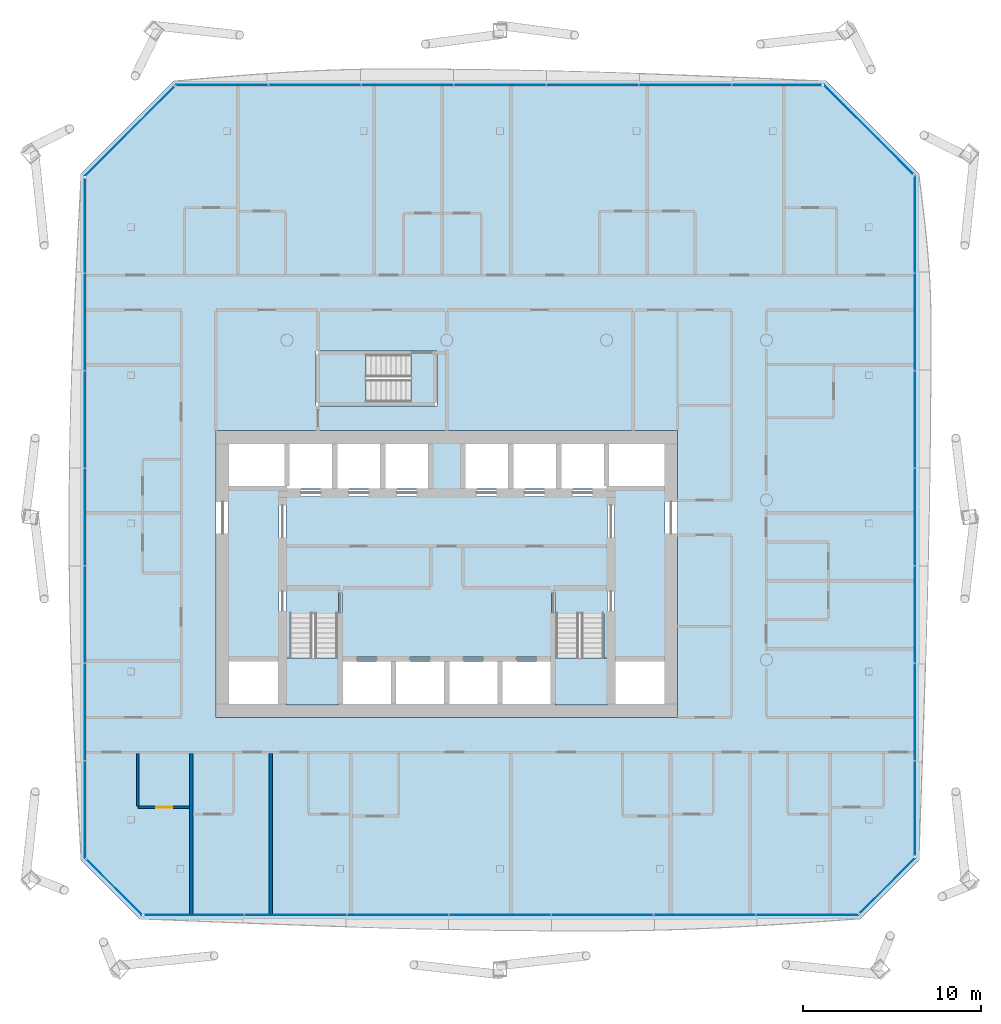
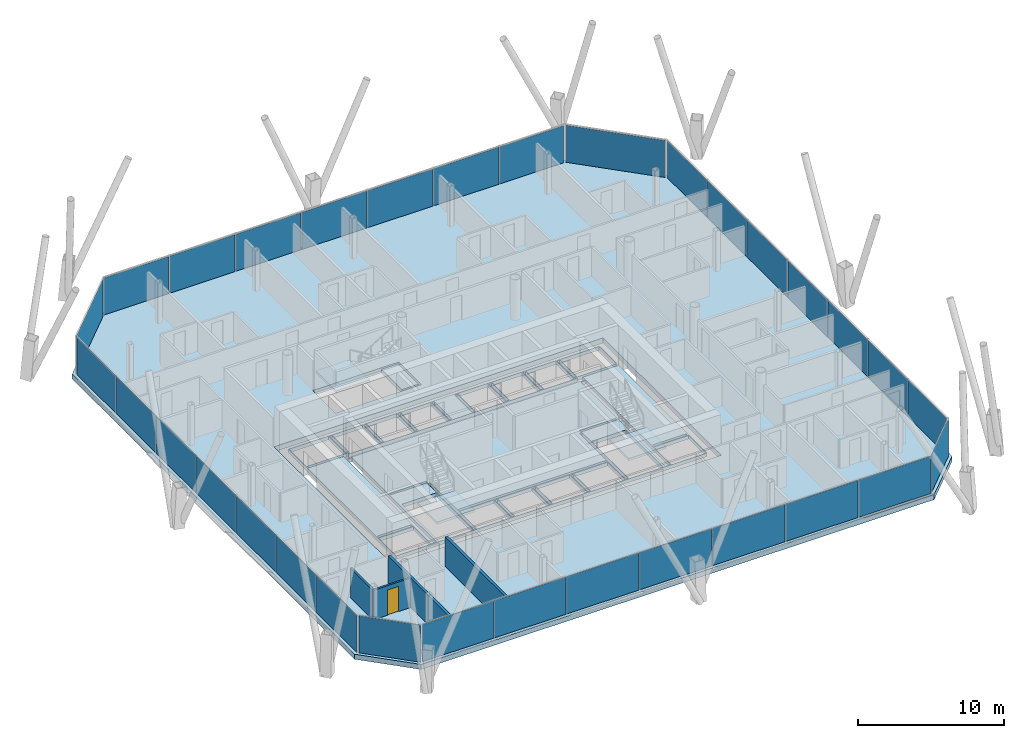
# One storey, part 12 of 22: 32 plates, 6 slabs, 4 walls, 1 door, 1 opening, 11 elements without a shape of their own.
"""IFC4 building model written with IfcOpenShell, lengths in metres."""

from ifc_helpers import new_model, si_unit, direction, frame, frame_2d, origin, origin_2d, place, context, subcontext, project, spatial, polyline, rectangle, outline, extrude, material, layer, layer_set, type_object, element, fill, aggregate, save


model = new_model("IFC4")

# Units and contexts
model_context = context("Model", 3, precision=1e-05, world=origin(), true_north=direction((0.0, 1.0)))
body_context = subcontext(model_context, "Body", "Model", "MODEL_VIEW")
ifc_project = project(units=[si_unit("LENGTHUNIT", "METRE"), si_unit("AREAUNIT", "SQUARE_METRE"), si_unit("VOLUMEUNIT", "CUBIC_METRE"), si_unit("PLANEANGLEUNIT", "RADIAN"), si_unit("MASSUNIT", "GRAM", prefix="KILO")], contexts=[model_context])

# Site, building, storey
site_placement = place(None, origin())
site = spatial("IfcSite", under=ifc_project, at=site_placement, CompositionType="ELEMENT")
building_placement = place(site_placement, origin())
building = spatial("IfcBuilding", under=site, at=building_placement, Name="Tskaro Facet Tower", CompositionType="ELEMENT")
storey_placement = place(building_placement, frame((0.0, 0.0, 121.5)))
storey = spatial("IfcBuildingStorey", under=building, at=storey_placement, Name="L28", CompositionType="ELEMENT", Elevation=121.5)

# Curtain wall, plates
ifc_material_1 = material(Name="Bronze anodised aluminium 6063-T6", Category="aluminium")
curtain_wall_type = type_object("IfcCurtainWallType", Name="Bronze hotel curtain wall (FW2)", PredefinedType="NOTDEFINED", material=ifc_material_1)
curtain_wall_1_placement = place(storey_placement, origin())
curtain_wall_1 = element("IfcCurtainWall", 1, at=curtain_wall_1_placement, inside=storey, type_object=curtain_wall_type, Name="FW2 south facet L28", PredefinedType="NOTDEFINED")
ifc_material_2 = material(Name="Bronze solar control glass", Category="glass")
ifc_layer_1 = layer(ifc_material_2, 0.030029296875, Name="Bronze solar control glass")
ifc_layer_set_1 = layer_set([ifc_layer_1], Name="Bronze solar control glass")
plate_type = type_object("IfcPlateType", Name="FW2 bronze-tinted unit glazing 30", PredefinedType="CURTAIN_PANEL", material=ifc_layer_set_1)
plate_1_placement = place(storey_placement, frame((-14.22509765625, -23.366943359375, 0.0), z_axis=(0.0, 0.0, 1.0), x_axis=(1.0, 0.0, 0.0)))
plate_1 = element("IfcPlate", 2, at=plate_1_placement, type_object=plate_type, Name="FW2 south glazing 1.1", PredefinedType="CURTAIN_PANEL", context=body_context, shape_type="SweptSolid", body=[
    extrude(rectangle(XDim=5.581787109375, YDim=0.030029296875, at=origin_2d()), origin(), (0.0, 0.0, 1.0), 3.10009765625),
])
plate_2_placement = place(storey_placement, frame((-8.5234375, -23.366943359375, 0.0), z_axis=(0.0, 0.0, 1.0), x_axis=(1.0, 0.0, 0.0)))
plate_2 = element("IfcPlate", 3, at=plate_2_placement, type_object=plate_type, Name="FW2 south glazing 2.1", PredefinedType="CURTAIN_PANEL", context=body_context, shape_type="SweptSolid", body=[
    extrude(rectangle(XDim=5.70166015625, YDim=0.030029296875, at=origin_2d()), origin(), (0.0, 0.0, 1.0), 3.10009765625),
])
plate_3_placement = place(storey_placement, frame((-2.76171875, -23.366943359375, 0.0), z_axis=(0.0, 0.0, 1.0), x_axis=(1.0, 0.0, 0.0)))
plate_3 = element("IfcPlate", 4, at=plate_3_placement, type_object=plate_type, Name="FW2 south glazing 3.1", PredefinedType="CURTAIN_PANEL", context=body_context, shape_type="SweptSolid", body=[
    extrude(rectangle(XDim=5.70166015625, YDim=0.030029296875, at=origin_2d()), origin(), (0.0, 0.0, 1.0), 3.10009765625),
])
plate_4_placement = place(storey_placement, frame((3.0, -23.366943359375, 0.0), z_axis=(0.0, 0.0, 1.0), x_axis=(1.0, 0.0, 0.0)))
plate_4 = element("IfcPlate", 5, at=plate_4_placement, type_object=plate_type, Name="FW2 south glazing 4.1", PredefinedType="CURTAIN_PANEL", context=body_context, shape_type="SweptSolid", body=[
    extrude(rectangle(XDim=5.70166015625, YDim=0.030029296875, at=origin_2d()), origin(), (0.0, 0.0, 1.0), 3.10009765625),
])
plate_5_placement = place(storey_placement, frame((8.76171875, -23.366943359375, 0.0), z_axis=(0.0, 0.0, 1.0), x_axis=(1.0, 0.0, 0.0)))
plate_5 = element("IfcPlate", 6, at=plate_5_placement, type_object=plate_type, Name="FW2 south glazing 5.1", PredefinedType="CURTAIN_PANEL", context=body_context, shape_type="SweptSolid", body=[
    extrude(rectangle(XDim=5.70166015625, YDim=0.030029296875, at=origin_2d()), origin(), (0.0, 0.0, 1.0), 3.10009765625),
])
plate_6_placement = place(storey_placement, frame((14.5234375, -23.366943359375, 0.0), z_axis=(0.0, 0.0, 1.0), x_axis=(1.0, 0.0, 0.0)))
plate_6 = element("IfcPlate", 7, at=plate_6_placement, type_object=plate_type, Name="FW2 south glazing 6.1", PredefinedType="CURTAIN_PANEL", context=body_context, shape_type="SweptSolid", body=[
    extrude(rectangle(XDim=5.70166015625, YDim=0.030029296875, at=origin_2d()), origin(), (0.0, 0.0, 1.0), 3.10009765625),
])
plate_7_placement = place(storey_placement, frame((20.300048828125, -23.366943359375, 0.0), z_axis=(0.0, 0.0, 1.0), x_axis=(1.0, 0.0, 0.0)))
plate_7 = element("IfcPlate", 8, at=plate_7_placement, type_object=plate_type, Name="FW2 south glazing 7.1", PredefinedType="CURTAIN_PANEL", context=body_context, shape_type="SweptSolid", body=[
    extrude(rectangle(XDim=5.731689453125, YDim=0.030029296875, at=origin_2d()), origin(), (0.0, 0.0, 1.0), 3.10009765625),
])
aggregate(curtain_wall_1, [plate_1, plate_2, plate_3, plate_4, plate_5, plate_6, plate_7])

# Curtain wall, plate
curtain_wall_2_placement = place(storey_placement, origin())
curtain_wall_2 = element("IfcCurtainWall", 9, at=curtain_wall_2_placement, inside=storey, type_object=curtain_wall_type, Name="FW2 south-east facet L28", PredefinedType="NOTDEFINED")
plate_8_placement = place(storey_placement, frame((24.819580078125, -21.71337890625, 0.0), z_axis=(0.0, 0.0, 1.0), x_axis=(0.707106781187, 0.707106781187, 0.0)))
plate_8 = element("IfcPlate", 10, at=plate_8_placement, type_object=plate_type, Name="FW2 south-east glazing 1.1", PredefinedType="CURTAIN_PANEL", context=body_context, shape_type="SweptSolid", body=[
    extrude(rectangle(XDim=4.376953125, YDim=0.030029296875, at=origin_2d()), origin(), (0.0, 0.0, 1.0), 3.10009765625),
])
aggregate(curtain_wall_2, [plate_8])

# Curtain wall, plates
curtain_wall_3_placement = place(storey_placement, origin())
curtain_wall_3 = element("IfcCurtainWall", 11, at=curtain_wall_3_placement, inside=storey, type_object=curtain_wall_type, Name="FW2 east facet L28", PredefinedType="NOTDEFINED")
plate_9_placement = place(storey_placement, frame((26.366943359375, -17.36181640625, 0.0), z_axis=(0.0, 0.0, 1.0), x_axis=(0.0, 1.0, 0.0)))
plate_9 = element("IfcPlate", 12, at=plate_9_placement, type_object=plate_type, Name="FW2 east glazing 1.1", PredefinedType="CURTAIN_PANEL", context=body_context, shape_type="SweptSolid", body=[
    extrude(rectangle(XDim=5.308349609375, YDim=0.030029296875, at=origin_2d()), origin(), (0.0, 0.0, 1.0), 3.10009765625),
])
plate_10_placement = place(storey_placement, frame((26.366943359375, -11.933349609375, 0.0), z_axis=(0.0, 0.0, 1.0), x_axis=(0.0, 1.0, 0.0)))
plate_10 = element("IfcPlate", 13, at=plate_10_placement, type_object=plate_type, Name="FW2 east glazing 2.1", PredefinedType="CURTAIN_PANEL", context=body_context, shape_type="SweptSolid", body=[
    extrude(rectangle(XDim=5.428466796875, YDim=0.030029296875, at=origin_2d()), origin(), (0.0, 0.0, 1.0), 3.10009765625),
])
plate_11_placement = place(storey_placement, frame((26.366943359375, -6.44482421875, 0.0), z_axis=(0.0, 0.0, 1.0), x_axis=(0.0, 1.0, 0.0)))
plate_11 = element("IfcPlate", 14, at=plate_11_placement, type_object=plate_type, Name="FW2 east glazing 3.1", PredefinedType="CURTAIN_PANEL", context=body_context, shape_type="SweptSolid", body=[
    extrude(rectangle(XDim=5.428466796875, YDim=0.030029296875, at=origin_2d()), origin(), (0.0, 0.0, 1.0), 3.10009765625),
])
plate_12_placement = place(storey_placement, frame((26.366943359375, -0.95654296875, 0.0), z_axis=(0.0, 0.0, 1.0), x_axis=(0.0, 1.0, 0.0)))
plate_12 = element("IfcPlate", 15, at=plate_12_placement, type_object=plate_type, Name="FW2 east glazing 4.1", PredefinedType="CURTAIN_PANEL", context=body_context, shape_type="SweptSolid", body=[
    extrude(rectangle(XDim=5.428466796875, YDim=0.030029296875, at=origin_2d()), origin(), (0.0, 0.0, 1.0), 3.10009765625),
])
plate_13_placement = place(storey_placement, frame((26.366943359375, 4.531982421875, 0.0), z_axis=(0.0, 0.0, 1.0), x_axis=(0.0, 1.0, 0.0)))
plate_13 = element("IfcPlate", 16, at=plate_13_placement, type_object=plate_type, Name="FW2 east glazing 5.1", PredefinedType="CURTAIN_PANEL", context=body_context, shape_type="SweptSolid", body=[
    extrude(rectangle(XDim=5.428466796875, YDim=0.030029296875, at=origin_2d()), origin(), (0.0, 0.0, 1.0), 3.10009765625),
])
plate_14_placement = place(storey_placement, frame((26.366943359375, 10.020263671875, 0.0), z_axis=(0.0, 0.0, 1.0), x_axis=(0.0, 1.0, 0.0)))
plate_14 = element("IfcPlate", 17, at=plate_14_placement, type_object=plate_type, Name="FW2 east glazing 6.1", PredefinedType="CURTAIN_PANEL", context=body_context, shape_type="SweptSolid", body=[
    extrude(rectangle(XDim=5.428466796875, YDim=0.030029296875, at=origin_2d()), origin(), (0.0, 0.0, 1.0), 3.10009765625),
])
plate_15_placement = place(storey_placement, frame((26.366943359375, 15.523681640625, 0.0), z_axis=(0.0, 0.0, 1.0), x_axis=(0.0, 1.0, 0.0)))
plate_15 = element("IfcPlate", 18, at=plate_15_placement, type_object=plate_type, Name="FW2 east glazing 7.1", PredefinedType="CURTAIN_PANEL", context=body_context, shape_type="SweptSolid", body=[
    extrude(rectangle(XDim=5.45849609375, YDim=0.030029296875, at=origin_2d()), origin(), (0.0, 0.0, 1.0), 3.10009765625),
])
aggregate(curtain_wall_3, [plate_9, plate_10, plate_11, plate_12, plate_13, plate_14, plate_15])

# Curtain wall, plate
curtain_wall_4_placement = place(storey_placement, origin())
curtain_wall_4 = element("IfcCurtainWall", 19, at=curtain_wall_4_placement, inside=storey, type_object=curtain_wall_type, Name="FW2 north-east facet L28", PredefinedType="NOTDEFINED")
plate_16_placement = place(storey_placement, frame((23.757080078125, 20.863037109375, 0.0), z_axis=(0.0, 0.0, 1.0), x_axis=(-0.707106781187, 0.707106781187, 0.0)))
plate_16 = element("IfcPlate", 20, at=plate_16_placement, type_object=plate_type, Name="FW2 north-east glazing 1.1", PredefinedType="CURTAIN_PANEL", context=body_context, shape_type="SweptSolid", body=[
    extrude(rectangle(XDim=7.082275390625, YDim=0.030029296875, at=origin_2d()), origin(), (0.0, 0.0, 1.0), 3.10009765625),
])
aggregate(curtain_wall_4, [plate_16])

# Curtain wall, plates
curtain_wall_5_placement = place(storey_placement, origin())
curtain_wall_5 = element("IfcCurtainWall", 21, at=curtain_wall_5_placement, inside=storey, type_object=curtain_wall_type, Name="FW2 north facet L28", PredefinedType="NOTDEFINED")
plate_17_placement = place(storey_placement, frame((18.58544921875, 23.366943359375, 0.0), z_axis=(0.0, 0.0, 1.0), x_axis=(-1.0, 0.0, 0.0)))
plate_17 = element("IfcPlate", 22, at=plate_17_placement, type_object=plate_type, Name="FW2 north glazing 1.1", PredefinedType="CURTAIN_PANEL", context=body_context, shape_type="SweptSolid", body=[
    extrude(rectangle(XDim=5.03515625, YDim=0.030029296875, at=origin_2d()), origin(), (0.0, 0.0, 1.0), 3.10009765625),
])
plate_18_placement = place(storey_placement, frame((13.43017578125, 23.366943359375, 0.0), z_axis=(0.0, 0.0, 1.0), x_axis=(-1.0, 0.0, 0.0)))
plate_18 = element("IfcPlate", 23, at=plate_18_placement, type_object=plate_type, Name="FW2 north glazing 2.1", PredefinedType="CURTAIN_PANEL", context=body_context, shape_type="SweptSolid", body=[
    extrude(rectangle(XDim=5.155029296875, YDim=0.030029296875, at=origin_2d()), origin(), (0.0, 0.0, 1.0), 3.10009765625),
])
plate_19_placement = place(storey_placement, frame((8.215087890625, 23.366943359375, 0.0), z_axis=(0.0, 0.0, 1.0), x_axis=(-1.0, 0.0, 0.0)))
plate_19 = element("IfcPlate", 24, at=plate_19_placement, type_object=plate_type, Name="FW2 north glazing 3.1", PredefinedType="CURTAIN_PANEL", context=body_context, shape_type="SweptSolid", body=[
    extrude(rectangle(XDim=5.155029296875, YDim=0.030029296875, at=origin_2d()), origin(), (0.0, 0.0, 1.0), 3.10009765625),
])
plate_20_placement = place(storey_placement, frame((3.0, 23.366943359375, 0.0), z_axis=(0.0, 0.0, 1.0), x_axis=(-1.0, 0.0, 0.0)))
plate_20 = element("IfcPlate", 25, at=plate_20_placement, type_object=plate_type, Name="FW2 north glazing 4.1", PredefinedType="CURTAIN_PANEL", context=body_context, shape_type="SweptSolid", body=[
    extrude(rectangle(XDim=5.155029296875, YDim=0.030029296875, at=origin_2d()), origin(), (0.0, 0.0, 1.0), 3.10009765625),
])
plate_21_placement = place(storey_placement, frame((-2.215087890625, 23.366943359375, 0.0), z_axis=(0.0, 0.0, 1.0), x_axis=(-1.0, 0.0, 0.0)))
plate_21 = element("IfcPlate", 26, at=plate_21_placement, type_object=plate_type, Name="FW2 north glazing 5.1", PredefinedType="CURTAIN_PANEL", context=body_context, shape_type="SweptSolid", body=[
    extrude(rectangle(XDim=5.155029296875, YDim=0.030029296875, at=origin_2d()), origin(), (0.0, 0.0, 1.0), 3.10009765625),
])
plate_22_placement = place(storey_placement, frame((-7.43017578125, 23.366943359375, 0.0), z_axis=(0.0, 0.0, 1.0), x_axis=(-1.0, 0.0, 0.0)))
plate_22 = element("IfcPlate", 27, at=plate_22_placement, type_object=plate_type, Name="FW2 north glazing 6.1", PredefinedType="CURTAIN_PANEL", context=body_context, shape_type="SweptSolid", body=[
    extrude(rectangle(XDim=5.155029296875, YDim=0.030029296875, at=origin_2d()), origin(), (0.0, 0.0, 1.0), 3.10009765625),
])
plate_23_placement = place(storey_placement, frame((-12.660400390625, 23.366943359375, 0.0), z_axis=(0.0, 0.0, 1.0), x_axis=(-1.0, 0.0, 0.0)))
plate_23 = element("IfcPlate", 28, at=plate_23_placement, type_object=plate_type, Name="FW2 north glazing 7.1", PredefinedType="CURTAIN_PANEL", context=body_context, shape_type="SweptSolid", body=[
    extrude(rectangle(XDim=5.18505859375, YDim=0.030029296875, at=origin_2d()), origin(), (0.0, 0.0, 1.0), 3.10009765625),
])
aggregate(curtain_wall_5, [plate_17, plate_18, plate_19, plate_20, plate_21, plate_22, plate_23])

# Curtain wall, plate
curtain_wall_6_placement = place(storey_placement, origin())
curtain_wall_6 = element("IfcCurtainWall", 29, at=curtain_wall_6_placement, inside=storey, type_object=curtain_wall_type, Name="FW2 north-west facet L28", PredefinedType="NOTDEFINED")
plate_24_placement = place(storey_placement, frame((-17.863037109375, 20.757080078125, 0.0), z_axis=(0.0, 0.0, 1.0), x_axis=(-0.707106781187, -0.707106781187, 0.0)))
plate_24 = element("IfcPlate", 30, at=plate_24_placement, type_object=plate_type, Name="FW2 north-west glazing 1.1", PredefinedType="CURTAIN_PANEL", context=body_context, shape_type="SweptSolid", body=[
    extrude(rectangle(XDim=7.082275390625, YDim=0.030029296875, at=origin_2d()), origin(), (0.0, 0.0, 1.0), 3.10009765625),
])
aggregate(curtain_wall_6, [plate_24])

# Curtain wall, plates
curtain_wall_7_placement = place(storey_placement, origin())
curtain_wall_7 = element("IfcCurtainWall", 31, at=curtain_wall_7_placement, inside=storey, type_object=curtain_wall_type, Name="FW2 west facet L28", PredefinedType="NOTDEFINED")
plate_25_placement = place(storey_placement, frame((-20.366943359375, 15.44873046875, 0.0), z_axis=(0.0, 0.0, 1.0), x_axis=(0.0, -1.0, 0.0)))
plate_25 = element("IfcPlate", 32, at=plate_25_placement, type_object=plate_type, Name="FW2 west glazing 1.1", PredefinedType="CURTAIN_PANEL", context=body_context, shape_type="SweptSolid", body=[
    extrude(rectangle(XDim=5.308349609375, YDim=0.030029296875, at=origin_2d()), origin(), (0.0, 0.0, 1.0), 3.10009765625),
])
plate_26_placement = place(storey_placement, frame((-20.366943359375, 10.020263671875, 0.0), z_axis=(0.0, 0.0, 1.0), x_axis=(0.0, -1.0, 0.0)))
plate_26 = element("IfcPlate", 33, at=plate_26_placement, type_object=plate_type, Name="FW2 west glazing 2.1", PredefinedType="CURTAIN_PANEL", context=body_context, shape_type="SweptSolid", body=[
    extrude(rectangle(XDim=5.428466796875, YDim=0.030029296875, at=origin_2d()), origin(), (0.0, 0.0, 1.0), 3.10009765625),
])
plate_27_placement = place(storey_placement, frame((-20.366943359375, 4.531982421875, 0.0), z_axis=(0.0, 0.0, 1.0), x_axis=(0.0, -1.0, 0.0)))
plate_27 = element("IfcPlate", 34, at=plate_27_placement, type_object=plate_type, Name="FW2 west glazing 3.1", PredefinedType="CURTAIN_PANEL", context=body_context, shape_type="SweptSolid", body=[
    extrude(rectangle(XDim=5.428466796875, YDim=0.030029296875, at=origin_2d()), origin(), (0.0, 0.0, 1.0), 3.10009765625),
])
plate_28_placement = place(storey_placement, frame((-20.366943359375, -0.95654296875, 0.0), z_axis=(0.0, 0.0, 1.0), x_axis=(0.0, -1.0, 0.0)))
plate_28 = element("IfcPlate", 35, at=plate_28_placement, type_object=plate_type, Name="FW2 west glazing 4.1", PredefinedType="CURTAIN_PANEL", context=body_context, shape_type="SweptSolid", body=[
    extrude(rectangle(XDim=5.428466796875, YDim=0.030029296875, at=origin_2d()), origin(), (0.0, 0.0, 1.0), 3.10009765625),
])
plate_29_placement = place(storey_placement, frame((-20.366943359375, -6.44482421875, 0.0), z_axis=(0.0, 0.0, 1.0), x_axis=(0.0, -1.0, 0.0)))
plate_29 = element("IfcPlate", 36, at=plate_29_placement, type_object=plate_type, Name="FW2 west glazing 5.1", PredefinedType="CURTAIN_PANEL", context=body_context, shape_type="SweptSolid", body=[
    extrude(rectangle(XDim=5.428466796875, YDim=0.030029296875, at=origin_2d()), origin(), (0.0, 0.0, 1.0), 3.10009765625),
])
plate_30_placement = place(storey_placement, frame((-20.366943359375, -11.933349609375, 0.0), z_axis=(0.0, 0.0, 1.0), x_axis=(0.0, -1.0, 0.0)))
plate_30 = element("IfcPlate", 37, at=plate_30_placement, type_object=plate_type, Name="FW2 west glazing 6.1", PredefinedType="CURTAIN_PANEL", context=body_context, shape_type="SweptSolid", body=[
    extrude(rectangle(XDim=5.428466796875, YDim=0.030029296875, at=origin_2d()), origin(), (0.0, 0.0, 1.0), 3.10009765625),
])
plate_31_placement = place(storey_placement, frame((-20.366943359375, -17.436767578125, 0.0), z_axis=(0.0, 0.0, 1.0), x_axis=(0.0, -1.0, 0.0)))
plate_31 = element("IfcPlate", 38, at=plate_31_placement, type_object=plate_type, Name="FW2 west glazing 7.1", PredefinedType="CURTAIN_PANEL", context=body_context, shape_type="SweptSolid", body=[
    extrude(rectangle(XDim=5.45849609375, YDim=0.030029296875, at=origin_2d()), origin(), (0.0, 0.0, 1.0), 3.10009765625),
])
aggregate(curtain_wall_7, [plate_25, plate_26, plate_27, plate_28, plate_29, plate_30, plate_31])

# Curtain wall, plate
curtain_wall_8_placement = place(storey_placement, origin())
curtain_wall_8 = element("IfcCurtainWall", 39, at=curtain_wall_8_placement, inside=storey, type_object=curtain_wall_type, Name="FW2 south-west facet L28", PredefinedType="NOTDEFINED")
plate_32_placement = place(storey_placement, frame((-18.71337890625, -21.819580078125, 0.0), z_axis=(0.0, 0.0, 1.0), x_axis=(0.707106781187, -0.707106781187, 0.0)))
plate_32 = element("IfcPlate", 40, at=plate_32_placement, type_object=plate_type, Name="FW2 south-west glazing 1.1", PredefinedType="CURTAIN_PANEL", context=body_context, shape_type="SweptSolid", body=[
    extrude(rectangle(XDim=4.376953125, YDim=0.030029296875, at=origin_2d()), origin(), (0.0, 0.0, 1.0), 3.10009765625),
])
aggregate(curtain_wall_8, [plate_32])

# Stair, slab
ifc_material_3 = material(Name="Concrete C40/50", Category="concrete")
stair_type = type_object("IfcStairType", Name="ST-TWR", PredefinedType="HALF_TURN_STAIR", material=ifc_material_3)
stair_1_placement = place(storey_placement, origin())
stair_1 = element("IfcStair", 41, at=stair_1_placement, inside=storey, type_object=stair_type, Name="L28 Exit stair 1", PredefinedType="HALF_TURN_STAIR")
ifc_layer_2 = layer(ifc_material_3, 0.199951171875, Name="Concrete C40/50")
ifc_layer_set_2 = layer_set([ifc_layer_2], Name="Concrete C40/50")
slab_type_1 = type_object("IfcSlabType", Name="SL-LANDING", PredefinedType="LANDING", material=ifc_layer_set_2)
slab_1_placement = place(storey_placement, frame((0.0, 0.0, 1.5)))
slab_1 = element("IfcSlab", 42, at=slab_1_placement, type_object=slab_type_1, Name="ST-1 landing 1", PredefinedType="LANDING", context=body_context, shape_type="SweptSolid", body=[
    extrude(outline(polyline([(-9.050048828125, -11.550048828125), (-6.10009765625, -11.550048828125), (-6.10009765625, -8.89501953125), (-9.050048828125, -8.89501953125), (-9.050048828125, -11.550048828125)])), origin(), (0.0, 0.0, 1.0), 0.199951171875),
])
aggregate(stair_1, [slab_1])

stair_2_placement = place(storey_placement, origin())
stair_2 = element("IfcStair", 43, at=stair_2_placement, inside=storey, type_object=stair_type, Name="L28 Exit stair 2", PredefinedType="HALF_TURN_STAIR")
slab_2_placement = place(storey_placement, frame((0.0, 0.0, 1.5)))
slab_2 = element("IfcSlab", 44, at=slab_2_placement, type_object=slab_type_1, Name="ST-2 landing 1", PredefinedType="LANDING", context=body_context, shape_type="SweptSolid", body=[
    extrude(outline(polyline([(6.10009765625, -11.550048828125), (9.050048828125, -11.550048828125), (9.050048828125, -8.89501953125), (6.10009765625, -8.89501953125), (6.10009765625, -11.550048828125)])), origin(), (0.0, 0.0, 1.0), 0.199951171875),
])
aggregate(stair_2, [slab_2])

stair_3_placement = place(storey_placement, origin())
stair_3 = element("IfcStair", 45, at=stair_3_placement, inside=storey, type_object=stair_type, Name="L28 Exit stair 3", PredefinedType="HALF_TURN_STAIR")
slab_3_placement = place(storey_placement, frame((0.0, 0.0, 1.5)))
slab_3 = element("IfcSlab", 46, at=slab_3_placement, type_object=slab_type_1, Name="ST-3 landing 1", PredefinedType="LANDING", context=body_context, shape_type="SweptSolid", body=[
    extrude(outline(polyline([(-7.199951171875, 5.449951171875), (-4.544921875, 5.449951171875), (-4.544921875, 8.25), (-7.199951171875, 8.25), (-7.199951171875, 5.449951171875)])), origin(), (0.0, 0.0, 1.0), 0.199951171875),
])
aggregate(stair_3, [slab_3])

# Slabs
ifc_material_4 = material(Name="Concrete C60/75", Category="concrete")
ifc_layer_3 = layer(ifc_material_4, 0.300048828125, Name="Concrete C60/75")
ifc_layer_set_3 = layer_set([ifc_layer_3], Name="Concrete C60/75")
slab_type_2 = type_object("IfcSlabType", Name="SLAB-CORE", PredefinedType="FLOOR", material=ifc_layer_set_3)
slab_4_placement = place(storey_placement, frame((0.0, 0.0, -0.300048828125)))
element("IfcSlab", 47, at=slab_4_placement, inside=storey, type_object=slab_type_2, Name="Core floor slab 1", PredefinedType="FLOOR", context=body_context, shape_type="SweptSolid", body=[
    extrude(outline(polyline([(-12.300048828125, 3.199951171875), (12.300048828125, 3.199951171875), (12.300048828125, 3.10009765625), (12.300048828125, -11.449951171875), (12.300048828125, -11.550048828125), (-12.300048828125, -11.550048828125), (-12.300048828125, -11.449951171875), (-12.300048828125, 3.10009765625), (-12.300048828125, 3.199951171875)]), holes=[polyline([(-9.5, -9.10009765625), (-12.25, -9.10009765625), (-12.25, -11.5), (-9.5, -11.5), (-9.5, -9.10009765625)]), polyline([(-5.85009765625, -9.10009765625), (-5.85009765625, -11.5), (-3.14990234375, -11.5), (-3.14990234375, -9.10009765625), (-5.85009765625, -9.10009765625)]), polyline([(-12.199951171875, -9.050048828125), (-9.550048828125, -9.050048828125), (-9.550048828125, -8.85009765625), (-12.199951171875, -8.85009765625), (-12.199951171875, -9.050048828125)]), polyline([(-6.10009765625, -5.14990234375), (-6.10009765625, -11.449951171875), (-5.89990234375, -11.449951171875), (-5.89990234375, -5.14990234375), (-6.10009765625, -5.14990234375)]), polyline([(-9.449951171875, 0.10009765625), (-9.449951171875, -11.449951171875), (-9.050048828125, -11.449951171875), (-9.050048828125, 0.10009765625), (-9.449951171875, 0.10009765625)]), polyline([(-8.949951171875, -5.050048828125), (-6.050048828125, -5.050048828125), (-6.050048828125, -4.85009765625), (-8.949951171875, -4.85009765625), (-8.949951171875, -5.050048828125)]), polyline([(9.449951171875, 0.199951171875), (9.449951171875, 0.550048828125), (12.199951171875, 0.550048828125), (12.199951171875, 0.75), (9.050048828125, 0.75), (9.050048828125, 0.60009765625), (-9.050048828125, 0.60009765625), (-9.050048828125, 0.75), (-12.199951171875, 0.75), (-12.199951171875, 0.550048828125), (-9.449951171875, 0.550048828125), (-9.449951171875, 0.199951171875), (9.449951171875, 0.199951171875)]), polyline([(-8.85009765625, 0.800048828125), (-9.0, 0.800048828125), (-9.0, 0.64990234375), (-6.449951171875, 0.64990234375), (-6.449951171875, 3.14990234375), (-8.85009765625, 3.14990234375), (-8.85009765625, 0.800048828125)]), polyline([(-6.14990234375, 0.64990234375), (-3.75, 0.64990234375), (-3.75, 3.14990234375), (-6.14990234375, 3.14990234375), (-6.14990234375, 0.64990234375)]), polyline([(-6.39990234375, 3.10009765625), (-6.39990234375, 0.699951171875), (-6.199951171875, 0.699951171875), (-6.199951171875, 3.10009765625), (-6.39990234375, 3.10009765625)]), polyline([(-9.14990234375, 3.14990234375), (-12.25, 3.14990234375), (-12.25, 0.800048828125), (-9.14990234375, 0.800048828125), (-9.14990234375, 3.14990234375)]), polyline([(-9.10009765625, 0.85009765625), (-8.89990234375, 0.85009765625), (-8.89990234375, 3.10009765625), (-9.10009765625, 3.10009765625), (-9.10009765625, 0.85009765625)]), polyline([(-3.10009765625, -11.449951171875), (-2.89990234375, -11.449951171875), (-2.89990234375, -9.14990234375), (-3.10009765625, -9.14990234375), (-3.10009765625, -11.449951171875)]), polyline([(-0.14990234375, -9.10009765625), (-2.85009765625, -9.10009765625), (-2.85009765625, -11.5), (-0.14990234375, -11.5), (-0.14990234375, -9.10009765625)]), polyline([(-0.10009765625, -9.14990234375), (-0.10009765625, -11.449951171875), (0.10009765625, -11.449951171875), (0.10009765625, -9.14990234375), (-0.10009765625, -9.14990234375)]), polyline([(0.14990234375, -9.10009765625), (0.14990234375, -11.5), (2.85009765625, -11.5), (2.85009765625, -9.10009765625), (0.14990234375, -9.10009765625)]), polyline([(-5.800048828125, -8.85009765625), (-5.800048828125, -9.050048828125), (5.800048828125, -9.050048828125), (5.800048828125, -8.85009765625), (-5.800048828125, -8.85009765625)]), polyline([(-1.050048828125, 0.64990234375), (-1.050048828125, 3.14990234375), (-3.449951171875, 3.14990234375), (-3.449951171875, 0.64990234375), (-1.050048828125, 0.64990234375)]), polyline([(3.449951171875, 0.64990234375), (3.449951171875, 3.14990234375), (1.050048828125, 3.14990234375), (1.050048828125, 0.64990234375), (3.449951171875, 0.64990234375)]), polyline([(-3.699951171875, 0.699951171875), (-3.5, 0.699951171875), (-3.5, 3.10009765625), (-3.699951171875, 3.10009765625), (-3.699951171875, 0.699951171875)]), polyline([(-1.0, 3.10009765625), (-1.0, 0.699951171875), (-0.800048828125, 0.699951171875), (-0.800048828125, 3.10009765625), (-1.0, 3.10009765625)]), polyline([(0.800048828125, 3.10009765625), (0.800048828125, 0.699951171875), (1.0, 0.699951171875), (1.0, 3.10009765625), (0.800048828125, 3.10009765625)]), polyline([(2.89990234375, -11.449951171875), (3.10009765625, -11.449951171875), (3.10009765625, -9.14990234375), (2.89990234375, -9.14990234375), (2.89990234375, -11.449951171875)]), polyline([(5.85009765625, -9.10009765625), (3.14990234375, -9.10009765625), (3.14990234375, -11.5), (5.85009765625, -11.5), (5.85009765625, -9.10009765625)]), polyline([(12.25, -11.5), (12.25, -9.10009765625), (9.5, -9.10009765625), (9.5, -11.5), (12.25, -11.5)]), polyline([(9.550048828125, -9.050048828125), (12.199951171875, -9.050048828125), (12.199951171875, -8.85009765625), (9.550048828125, -8.85009765625), (9.550048828125, -9.050048828125)]), polyline([(5.89990234375, -5.14990234375), (5.89990234375, -11.449951171875), (6.10009765625, -11.449951171875), (6.10009765625, -5.14990234375), (5.89990234375, -5.14990234375)]), polyline([(9.050048828125, 0.10009765625), (9.050048828125, -11.449951171875), (9.449951171875, -11.449951171875), (9.449951171875, 0.10009765625), (9.050048828125, 0.10009765625)]), polyline([(6.050048828125, -5.050048828125), (8.949951171875, -5.050048828125), (8.949951171875, -4.85009765625), (6.050048828125, -4.85009765625), (6.050048828125, -5.050048828125)]), polyline([(6.14990234375, 0.64990234375), (6.14990234375, 3.14990234375), (3.75, 3.14990234375), (3.75, 0.64990234375), (6.14990234375, 0.64990234375)]), polyline([(9.0, 0.800048828125), (8.85009765625, 0.800048828125), (8.85009765625, 3.14990234375), (6.449951171875, 3.14990234375), (6.449951171875, 0.64990234375), (9.0, 0.64990234375), (9.0, 0.800048828125)]), polyline([(3.5, 3.10009765625), (3.5, 0.699951171875), (3.699951171875, 0.699951171875), (3.699951171875, 3.10009765625), (3.5, 3.10009765625)]), polyline([(6.199951171875, 0.699951171875), (6.39990234375, 0.699951171875), (6.39990234375, 3.10009765625), (6.199951171875, 3.10009765625), (6.199951171875, 0.699951171875)]), polyline([(8.89990234375, 3.10009765625), (8.89990234375, 0.85009765625), (9.10009765625, 0.85009765625), (9.10009765625, 3.10009765625), (8.89990234375, 3.10009765625)]), polyline([(9.14990234375, 0.800048828125), (12.25, 0.800048828125), (12.25, 3.14990234375), (9.14990234375, 3.14990234375), (9.14990234375, 0.800048828125)]), polyline([(-8.85009765625, -11.5), (-6.14990234375, -11.5), (-6.14990234375, -6.39501953125), (-8.85009765625, -6.39501953125), (-8.85009765625, -11.5)]), polyline([(6.14990234375, -6.39501953125), (6.14990234375, -11.5), (8.85009765625, -11.5), (8.85009765625, -6.39501953125), (6.14990234375, -6.39501953125)])]), origin(), (0.0, 0.0, 1.0), 0.300048828125),
])
slab_5_placement = place(storey_placement, frame((0.0, 0.0, -0.300048828125)))
element("IfcSlab", 48, at=slab_5_placement, inside=storey, type_object=slab_type_2, Name="Stair 3 floor landing 1", PredefinedType="FLOOR", context=body_context, shape_type="SweptSolid", body=[
    extrude(outline(polyline([(-2.02490234375, 5.449951171875), (-0.699951171875, 5.449951171875), (-0.699951171875, 8.25), (-2.02490234375, 8.25), (-2.02490234375, 5.449951171875)])), origin(), (0.0, 0.0, 1.0), 0.300048828125),
])
ifc_layer_4 = layer(ifc_material_3, 0.419921875, Name="Concrete C40/50")
ifc_layer_set_4 = layer_set([ifc_layer_4], Name="Concrete C40/50")
slab_type_3 = type_object("IfcSlabType", Name="Transfer floor slab", PredefinedType="FLOOR", material=ifc_layer_set_4)
slab_6_placement = place(storey_placement, frame((0.0, 0.0, -0.419921875)))
element("IfcSlab", 49, at=slab_6_placement, inside=storey, type_object=slab_type_3, Name="Floor slab FS7 L28", PredefinedType="FLOOR", context=body_context, shape_type="SweptSolid", body=[
    extrude(outline(polyline([(-17.27001953125, -23.616943359375), (23.27001953125, -23.616943359375), (26.616943359375, -20.27001953125), (26.616943359375, 18.35693359375), (21.35693359375, 23.616943359375), (-15.35693359375, 23.616943359375), (-20.616943359375, 18.35693359375), (-20.616943359375, -20.27001953125), (-17.27001953125, -23.616943359375)]), holes=[polyline([(-13.0, -12.25), (13.0, -12.25), (13.0, 3.89990234375), (-13.0, 3.89990234375), (-13.0, -12.25)]), polyline([(-7.35009765625, 5.300048828125), (-0.550048828125, 5.300048828125), (-0.550048828125, 8.39990234375), (-7.35009765625, 8.39990234375), (-7.35009765625, 5.300048828125)])]), origin(), (0.0, 0.0, 1.0), 0.419921875),
])

# Wall, opening, door
ifc_material_5 = material(Name="Gypsum board on steel studs", Category="steel")
ifc_layer_5 = layer(ifc_material_5, 0.14990234375, Name="Gypsum board on steel studs")
ifc_layer_set_5 = layer_set([ifc_layer_5], Name="Gypsum board on steel studs")
wall_type_1 = type_object("IfcWallType", Name="PART-CORR", PredefinedType="PARTITIONING", material=ifc_layer_set_5)
wall_1_placement = place(storey_placement, frame((-17.39892578125, -17.300048828125, 0.0), z_axis=(0.0, 0.0, 1.0), x_axis=(1.0, 0.0, 0.0)))
wall_1 = element("IfcWall", 50, at=wall_1_placement, inside=storey, type_object=wall_type_1, Name="Corridor wall W007", PredefinedType="PARTITIONING", context=body_context, shape_type="SweptSolid", body=[
    extrude(rectangle(XDim=2.89990234375, YDim=0.14990234375, at=frame_2d((1.449951171875, 0.0))), origin(), (0.0, 0.0, 1.0), 2.4599609375),
])
opening_placement = place(wall_1_placement, frame((1.050048828125, 0.0, 0.0)))
opening = element("IfcOpeningElement", 51, at=opening_placement, cuts=wall_1, Name="Opening T8-D07", PredefinedType="OPENING", context=body_context, shape_type="SweptSolid", body=[
    extrude(rectangle(XDim=0.89990234375, YDim=2.10009765625, at=frame_2d((0.449951171875, 1.050048828125))), frame((0.0, 0.0849609375, 0.0), z_axis=(0.0, -1.0, 0.0), x_axis=(1.0, 0.0, 0.0)), (0.0, 0.0, 1.0), 0.169921875),
])
ifc_material_6 = material(Name="Timber", Category="wood")
door_type = type_object("IfcDoorType", Name="D-ROOM", OperationType="NOTDEFINED", PredefinedType="DOOR", material=ifc_material_6)
door_placement = place(opening_placement, origin())
door = element("IfcDoor", 52, at=door_placement, inside=storey, type_object=door_type, Name="Door T8-D07", OperationType="SINGLE_SWING_LEFT", OverallHeight=2.10009765625, OverallWidth=0.89990234375, PredefinedType="DOOR", context=body_context, shape_type="SweptSolid", body=[
    extrude(rectangle(XDim=0.89990234375, YDim=2.10009765625, at=frame_2d((0.449951171875, 1.050048828125))), frame((0.0, 0.02490234375, 0.0), z_axis=(0.0, -1.0, 0.0), x_axis=(1.0, 0.0, 0.0)), (0.0, 0.0, 1.0), 0.050048828125),
])
fill(opening, door)

# Walls
wall_2_placement = place(storey_placement, frame((-17.39892578125, -17.22509765625, 0.0), z_axis=(0.0, 0.0, 1.0), x_axis=(0.0, 1.0, 0.0)))
element("IfcWall", 53, at=wall_2_placement, inside=storey, type_object=wall_type_1, Name="Corridor wall W055", PredefinedType="PARTITIONING", context=body_context, shape_type="SweptSolid", body=[
    extrude(rectangle(XDim=2.9501953125, YDim=0.14990234375, at=frame_2d((1.47509765625, 0.0))), origin(), (0.0, 0.0, 1.0), 2.4599609375),
])
ifc_layer_6 = layer(ifc_material_5, 0.199951171875, Name="Gypsum board on steel studs")
ifc_layer_set_6 = layer_set([ifc_layer_6], Name="Gypsum board on steel studs")
wall_type_2 = type_object("IfcWallType", Name="PART-DEMISING", PredefinedType="PARTITIONING", material=ifc_layer_set_6)
for number, where, z_axis, x_axis, name in (
    (54, (-14.39892578125, -23.31689453125, 0.0), (0.0, 0.0, 1.0), (0.0, 1.0, 0.0), "Guest room wall W059"),
    (55, (-9.89892578125, -23.31689453125, 0.0), (0.0, 0.0, 1.0), (0.0, 1.0, 0.0), "Guest room wall W063"),
):
    element("IfcWall", number, at=place(storey_placement, frame(where, z_axis=z_axis, x_axis=x_axis)), inside=storey, type_object=wall_type_2, Name=name, PredefinedType="PARTITIONING", context=body_context, shape_type="SweptSolid", body=[
        extrude(rectangle(XDim=9.0419921875, YDim=0.199951171875, at=frame_2d((4.52099609375, 0.0))), origin(), (0.0, 0.0, 1.0), 2.4599609375),
    ])

save(model, "model.ifc")
